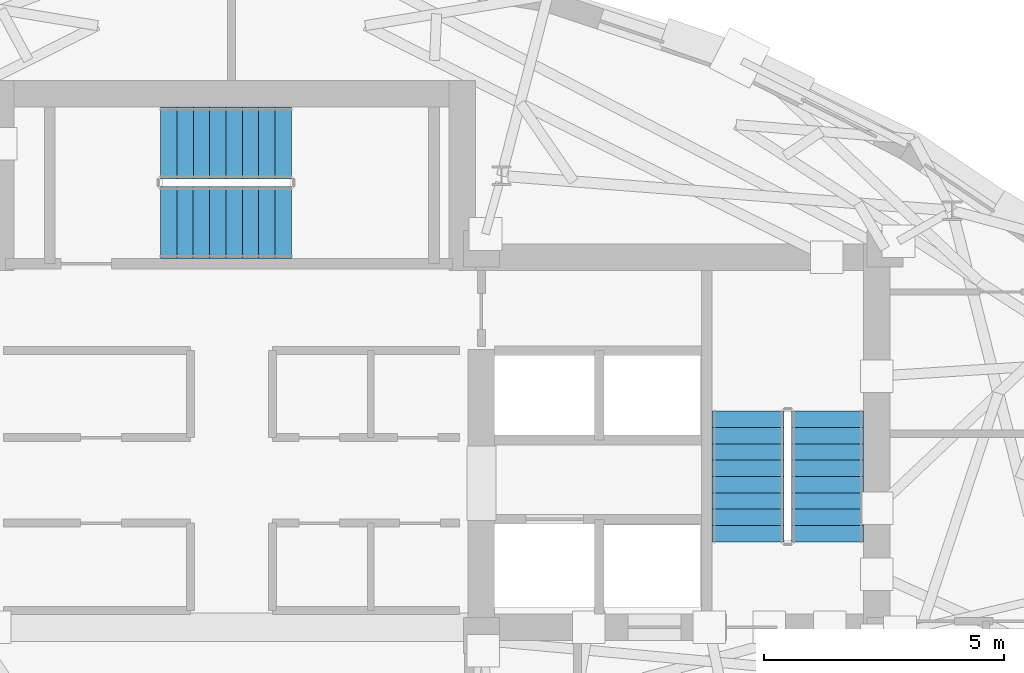
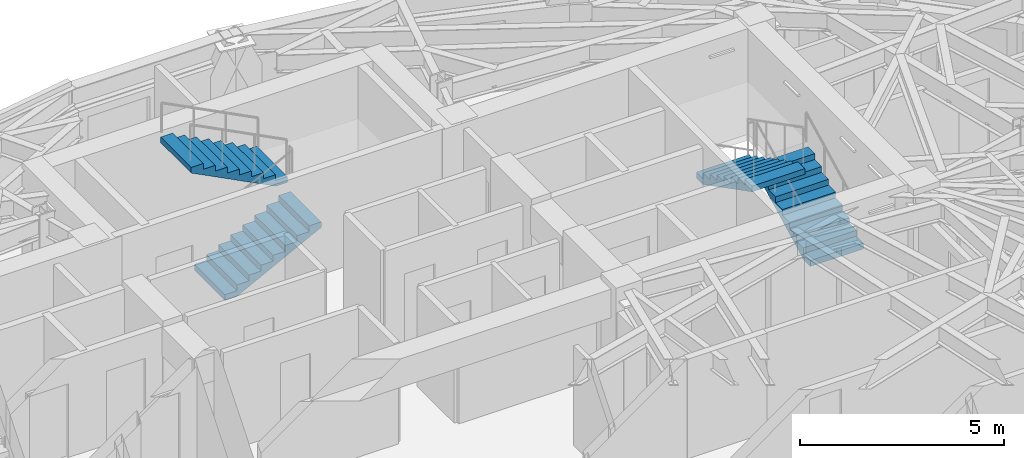
# One storey, part 11 of 14: 4 stair flights, 2 elements without a shape of their own.
"""IFC4 building model written with IfcOpenShell, lengths in metres."""

import ifcopenshell
import ifcopenshell.guid

model = None  # the IFC model being written
_history = None  # IfcOwnerHistory: only IFC2X3 demands one
_inside = {}  # id of a spatial element -> (the spatial element, [elements in it])
_under = {}  # id of a project, library or spatial element -> (it, [spatial elements below it])
_declared = {}  # id of a project -> (the project, [libraries it declares])
_typed = {}  # id of a type object -> (the type object, [elements of that type])
_made_of = {}  # id of a material, layer set ... -> (it, [elements and type objects made of it])


def new_model(schema):
    """Start an empty IFC model of exactly this schema.

    Asked for "IFC4X3", IfcOpenShell would pick the latest addendum, in which some entities
    have other attributes; the version numbers below select the first issue.
    IFC2X3 requires an IfcOwnerHistory on every rooted entity: one is made here for all.
    """
    global model, _history
    if schema == "IFC4X3":
        model = ifcopenshell.file(schema_version=(4, 3, 0, 0))
    else:
        model = ifcopenshell.file(schema=schema)
    _inside.clear()
    _under.clear()
    _declared.clear()
    _typed.clear()
    _made_of.clear()
    _history = None
    if model.schema == "IFC2X3":
        org = make("IfcOrganization", Name="unknown")
        user = make(
            "IfcPersonAndOrganization",
            ThePerson=make("IfcPerson", FamilyName="unknown"),
            TheOrganization=org,
        )
        app = make(
            "IfcApplication",
            ApplicationDeveloper=org,
            Version="unknown",
            ApplicationFullName="unknown",
            ApplicationIdentifier="unknown",
        )
        _history = make(
            "IfcOwnerHistory",
            OwningUser=user,
            OwningApplication=app,
            ChangeAction="ADDED",
            CreationDate=0,
        )
    return model


def make(cls, **values):
    """One entity of the class cls with the attributes given. An attribute that is None is left unset."""
    return model.create_entity(
        cls, **{name: value for name, value in values.items() if value is not None}
    )


def rooted(cls, **values):
    """An entity with a GlobalId (a new one), such as an element, a storey or a relation."""
    return make(cls, GlobalId=ifcopenshell.guid.new(), OwnerHistory=_history, **values)


def si_unit(unit_type, name, prefix=None):
    """IfcSIUnit, for example si_unit("LENGTHUNIT", "METRE", prefix="MILLI")."""
    return make("IfcSIUnit", UnitType=unit_type, Prefix=prefix, Name=name)


def assignment(units):
    """IfcUnitAssignment: the units of a project."""
    return None if units is None else make("IfcUnitAssignment", Units=units)


def point(xyz):
    """IfcCartesianPoint."""
    return None if xyz is None else make("IfcCartesianPoint", Coordinates=xyz)


def direction(xyz):
    """IfcDirection."""
    return None if xyz is None else make("IfcDirection", DirectionRatios=xyz)


def frame(location, z_axis=None, x_axis=None):
    """IfcAxis2Placement3D, a coordinate frame: its origin and axes. An axis left out is left unset."""
    return make(
        "IfcAxis2Placement3D",
        Location=point(location),
        Axis=direction(z_axis),
        RefDirection=direction(x_axis),
    )


def origin():
    """The frame at (0, 0, 0) with its axes left unset."""
    return frame((0.0, 0.0, 0.0))


def place(relative_to, where):
    """IfcLocalPlacement: puts the frame where relative to a parent placement (None: the world)."""
    return make(
        "IfcLocalPlacement", PlacementRelTo=relative_to, RelativePlacement=where
    )


def context(
    kind, dimensions, precision=None, world=None, true_north=None, identifier=None
):
    """IfcGeometricRepresentationContext, for example the 3D "Model" context."""
    return make(
        "IfcGeometricRepresentationContext",
        ContextIdentifier=identifier,
        ContextType=kind,
        CoordinateSpaceDimension=dimensions,
        Precision=precision,
        WorldCoordinateSystem=world,
        TrueNorth=true_north,
    )


def subcontext(parent, identifier, kind, view, scale=None):
    """IfcGeometricRepresentationSubContext, for example "Body" below "Model"."""
    return make(
        "IfcGeometricRepresentationSubContext",
        ContextIdentifier=identifier,
        ContextType=kind,
        ParentContext=parent,
        TargetScale=scale,
        TargetView=view,
    )


def project(units=None, contexts=None):
    """IfcProject with its units and contexts."""
    return rooted(
        "IfcProject",
        Name="project",
        RepresentationContexts=contexts,
        UnitsInContext=assignment(units),
    )


def spatial(cls, under=None, at=None, **own):
    """A site, building, storey or space (cls), placed at a placement, below another one or the project."""
    s = rooted(cls, ObjectPlacement=at, **own)
    if under is not None:
        _under.setdefault(under.id(), (under, []))[1].append(s)
    return s


def polyline(points):
    """IfcPolyline through the points."""
    return make("IfcPolyline", Points=[point(p) for p in points])


def outline(outer, holes=None, kind="AREA"):
    """IfcArbitraryClosedProfileDef: a profile drawn as a closed curve; with holes, ...WithVoids."""
    if holes is None:
        return make("IfcArbitraryClosedProfileDef", ProfileType=kind, OuterCurve=outer)
    return make(
        "IfcArbitraryProfileDefWithVoids",
        ProfileType=kind,
        OuterCurve=outer,
        InnerCurves=holes,
    )


def extrude(swept, where, along, depth):
    """IfcExtrudedAreaSolid: the profile swept, set in the frame where, extruded along a direction by depth."""
    return make(
        "IfcExtrudedAreaSolid",
        SweptArea=swept,
        Position=where,
        ExtrudedDirection=direction(along),
        Depth=depth,
    )


def shape(context_of_items, identifier, shape_type, items):
    """IfcShapeRepresentation: the items that make up one representation, for example the "Body"."""
    return make(
        "IfcShapeRepresentation",
        ContextOfItems=context_of_items,
        RepresentationIdentifier=identifier,
        RepresentationType=shape_type,
        Items=items,
    )


def material(Name=None, Category=None):
    """IfcMaterial."""
    return make("IfcMaterial", Name=Name, Category=Category)


def made_of(thing, what):
    """Note that an element or type object is made of a material, layer set ...; save() writes the relation."""
    if what is not None:
        _made_of.setdefault(what.id(), (what, []))[1].append(thing)
    return thing


def type_object(cls, material=None, **own):
    """A type object (cls), such as IfcWallType, which elements share."""
    return made_of(rooted(cls, **own), material)


def element(
    cls,
    number,
    at=None,
    inside=None,
    cuts=None,
    type_object=None,
    material=None,
    context=None,
    identifier="Body",
    shape_type=None,
    held_by="IfcProductDefinitionShape",
    body=None,
    shapes=None,
    **own,
):
    """One element of the class cls, such as IfcWall. Its Tag is "e" and its number.

    at: its placement. inside: the storey or other place that contains it. cuts: it is an
    opening in that element (IfcRelVoidsElement). A single representation is given by context,
    identifier, shape_type and body (its items); several are given by shapes. held_by: the class
    of the entity that holds the representations. save() writes the other relations.
    """
    e = rooted(cls, Tag="e%d" % number, ObjectPlacement=at, **own)
    if body is not None:
        shapes = [shape(context, identifier, shape_type, body)]
    if shapes is not None:
        e.Representation = make(held_by, Representations=shapes)
    if inside is not None:
        _inside.setdefault(inside.id(), (inside, []))[1].append(e)
    if cuts is not None:
        rooted(
            "IfcRelVoidsElement", RelatingBuildingElement=cuts, RelatedOpeningElement=e
        )
    if type_object is not None:
        _typed.setdefault(type_object.id(), (type_object, []))[1].append(e)
    return made_of(e, material)


def aggregate(whole, parts):
    """IfcRelAggregates: a whole, such as a stair, and the parts it consists of."""
    return rooted("IfcRelAggregates", RelatingObject=whole, RelatedObjects=parts)


def save(model, path):
    """Write the relations noted so far, then the file.

    IfcRelAggregates (storeys below a building ...), IfcRelContainedInSpatialStructure (elements
    in a storey), IfcRelDefinesByType, IfcRelAssociatesMaterial and IfcRelDeclares: one each for
    every whole, place, type object, material and project.
    """
    for whole, parts in _under.values():
        aggregate(whole, parts)
    for where, things in _inside.values():
        rooted(
            "IfcRelContainedInSpatialStructure",
            RelatedElements=things,
            RelatingStructure=where,
        )
    for kind, things in _typed.values():
        rooted("IfcRelDefinesByType", RelatedObjects=things, RelatingType=kind)
    for what, things in _made_of.values():
        rooted("IfcRelAssociatesMaterial", RelatedObjects=things, RelatingMaterial=what)
    for by, libraries in _declared.values():
        rooted("IfcRelDeclares", RelatingContext=by, RelatedDefinitions=libraries)
    model.write(path)


model = new_model("IFC4")

# Units and contexts
model_context = context("Model", 3, precision=1e-05, world=origin(), true_north=direction((0.0, 1.0)))
body_context = subcontext(model_context, "Body", "Model", "MODEL_VIEW")
ifc_project = project(units=[si_unit("LENGTHUNIT", "METRE"), si_unit("AREAUNIT", "SQUARE_METRE"), si_unit("VOLUMEUNIT", "CUBIC_METRE"), si_unit("PLANEANGLEUNIT", "RADIAN"), si_unit("MASSUNIT", "GRAM", prefix="KILO")], contexts=[model_context])

# Site, building, storey
site_placement = place(None, origin())
site = spatial("IfcSite", under=ifc_project, at=site_placement, CompositionType="ELEMENT")
building_placement = place(site_placement, origin())
building = spatial("IfcBuilding", under=site, at=building_placement, Name="Keldmark Tower", CompositionType="ELEMENT")
storey_placement = place(building_placement, frame((0.0, 0.0, 222.60009765625)))
storey = spatial("IfcBuildingStorey", under=building, at=storey_placement, Name="L62", CompositionType="ELEMENT", Elevation=222.60009765625)

# Stair, stair flights
ifc_material_1 = material(Name="Concrete C40/50", Category="concrete")
stair_type = type_object("IfcStairType", Name="Precast Concrete Core Exit Stair", PredefinedType="HALF_TURN_STAIR", material=ifc_material_1)
stair_1_placement = place(storey_placement, origin())
stair_1 = element("IfcStair", 1, at=stair_1_placement, inside=storey, type_object=stair_type, Name="L62 Exit Stair ST2", PredefinedType="HALF_TURN_STAIR")
ifc_material_2 = material(Name="Concrete C40/50", Category="concrete")
stair_flight_type = type_object("IfcStairFlightType", Name="Precast Concrete Stair Flight 1500 mm", PredefinedType="STRAIGHT", material=ifc_material_2)
stair_flight_1_placement = place(storey_placement, frame((12.39990234375, 3.35009765625, 0.0), z_axis=(0.0, 0.0, 1.0), x_axis=(0.0, 1.0, 0.0)))
stair_flight_1 = element("IfcStairFlight", 2, at=stair_flight_1_placement, type_object=stair_flight_type, Name="ST2 flight 1", NumberOfRisers=9, NumberOfTreads=8, PredefinedType="STRAIGHT", RiserHeight=0.175, TreadLength=0.34, context=body_context, shape_type="SweptSolid", body=[
    extrude(outline(polyline([(0.0, 0.0), (0.0, 0.175048828125), (0.340087890625, 0.175048828125), (0.340087890625, 0.35009765625), (0.679931640625, 0.35009765625), (0.679931640625, 0.52490234375), (1.02001953125, 0.52490234375), (1.02001953125, 0.699951171875), (1.360107421875, 0.699951171875), (1.360107421875, 0.875), (1.699951171875, 0.875), (1.699951171875, 1.050048828125), (2.0400390625, 1.050048828125), (2.0400390625, 1.22509765625), (2.3798828125, 1.22509765625), (2.3798828125, 1.39990234375), (2.719970703125, 1.39990234375), (2.719970703125, 1.574951171875), (2.719970703125, 1.2314453125), (0.32763671875, 0.0), (0.0, 0.0)])), frame((0.0, 0.75, 0.0), z_axis=(0.0, -1.0, 0.0), x_axis=(1.0, 0.0, 0.0)), (0.0, 0.0, 1.0), 1.5),
])
stair_flight_2_placement = place(storey_placement, frame((10.75, 6.070068359375, 1.574951171875), z_axis=(0.0, 0.0, 1.0), x_axis=(0.0, -1.0, 0.0)))
stair_flight_2 = element("IfcStairFlight", 3, at=stair_flight_2_placement, type_object=stair_flight_type, Name="ST2 flight 2", NumberOfRisers=9, NumberOfTreads=8, PredefinedType="STRAIGHT", RiserHeight=0.175, TreadLength=0.34, context=body_context, shape_type="SweptSolid", body=[
    extrude(outline(polyline([(0.0, 0.0), (0.0, 0.175048828125), (0.340087890625, 0.175048828125), (0.340087890625, 0.35009765625), (0.679931640625, 0.35009765625), (0.679931640625, 0.52490234375), (1.02001953125, 0.52490234375), (1.02001953125, 0.699951171875), (1.360107421875, 0.699951171875), (1.360107421875, 0.875), (1.699951171875, 0.875), (1.699951171875, 1.050048828125), (2.0400390625, 1.050048828125), (2.0400390625, 1.22509765625), (2.3798828125, 1.22509765625), (2.3798828125, 1.39990234375), (2.719970703125, 1.39990234375), (2.719970703125, 1.574951171875), (2.719970703125, 1.2314453125), (0.32763671875, 0.0), (0.0, 0.0)])), frame((0.0, 0.75, 0.0), z_axis=(0.0, -1.0, 0.0), x_axis=(1.0, 0.0, 0.0)), (0.0, 0.0, 1.0), 1.5),
])
aggregate(stair_1, [stair_flight_1, stair_flight_2])

stair_2_placement = place(storey_placement, origin())
stair_2 = element("IfcStair", 4, at=stair_2_placement, inside=storey, type_object=stair_type, Name="L62 Exit Stair ST3", PredefinedType="HALF_TURN_STAIR")
stair_flight_3_placement = place(storey_placement, frame((-1.47509765625, 10.0, 0.0), z_axis=(0.0, 0.0, 1.0), x_axis=(1.0, 0.0, 0.0)))
stair_flight_3 = element("IfcStairFlight", 5, at=stair_flight_3_placement, type_object=stair_flight_type, Name="ST3 flight 1", NumberOfRisers=9, NumberOfTreads=8, PredefinedType="STRAIGHT", RiserHeight=0.175, TreadLength=0.34, context=body_context, shape_type="SweptSolid", body=[
    extrude(outline(polyline([(0.0, 0.0), (0.0, 0.175048828125), (0.340087890625, 0.175048828125), (0.340087890625, 0.35009765625), (0.679931640625, 0.35009765625), (0.679931640625, 0.52490234375), (1.02001953125, 0.52490234375), (1.02001953125, 0.699951171875), (1.360107421875, 0.699951171875), (1.360107421875, 0.875), (1.699951171875, 0.875), (1.699951171875, 1.050048828125), (2.0400390625, 1.050048828125), (2.0400390625, 1.22509765625), (2.3798828125, 1.22509765625), (2.3798828125, 1.39990234375), (2.719970703125, 1.39990234375), (2.719970703125, 1.574951171875), (2.719970703125, 1.2314453125), (0.32763671875, 0.0), (0.0, 0.0)])), frame((0.0, 0.75, 0.0), z_axis=(0.0, -1.0, 0.0), x_axis=(1.0, 0.0, 0.0)), (0.0, 0.0, 1.0), 1.5),
])
stair_flight_4_placement = place(storey_placement, frame((1.2451171875, 11.64990234375, 1.574951171875), z_axis=(0.0, 0.0, 1.0), x_axis=(-1.0, 0.0, 0.0)))
stair_flight_4 = element("IfcStairFlight", 6, at=stair_flight_4_placement, type_object=stair_flight_type, Name="ST3 flight 2", NumberOfRisers=9, NumberOfTreads=8, PredefinedType="STRAIGHT", RiserHeight=0.175, TreadLength=0.34, context=body_context, shape_type="SweptSolid", body=[
    extrude(outline(polyline([(0.0, 0.0), (0.0, 0.175048828125), (0.340087890625, 0.175048828125), (0.340087890625, 0.35009765625), (0.679931640625, 0.35009765625), (0.679931640625, 0.52490234375), (1.02001953125, 0.52490234375), (1.02001953125, 0.699951171875), (1.360107421875, 0.699951171875), (1.360107421875, 0.875), (1.699951171875, 0.875), (1.699951171875, 1.050048828125), (2.0400390625, 1.050048828125), (2.0400390625, 1.22509765625), (2.3798828125, 1.22509765625), (2.3798828125, 1.39990234375), (2.719970703125, 1.39990234375), (2.719970703125, 1.574951171875), (2.719970703125, 1.2314453125), (0.32763671875, 0.0), (0.0, 0.0)])), frame((0.0, 0.75, 0.0), z_axis=(0.0, -1.0, 0.0), x_axis=(1.0, 0.0, 0.0)), (0.0, 0.0, 1.0), 1.5),
])
aggregate(stair_2, [stair_flight_3, stair_flight_4])

save(model, "model.ifc")
